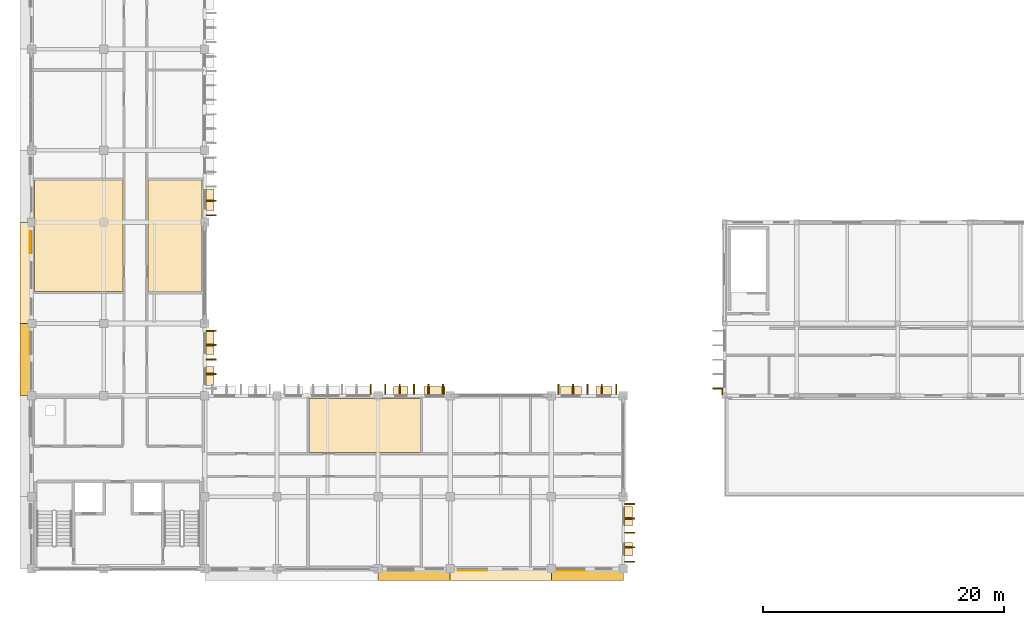
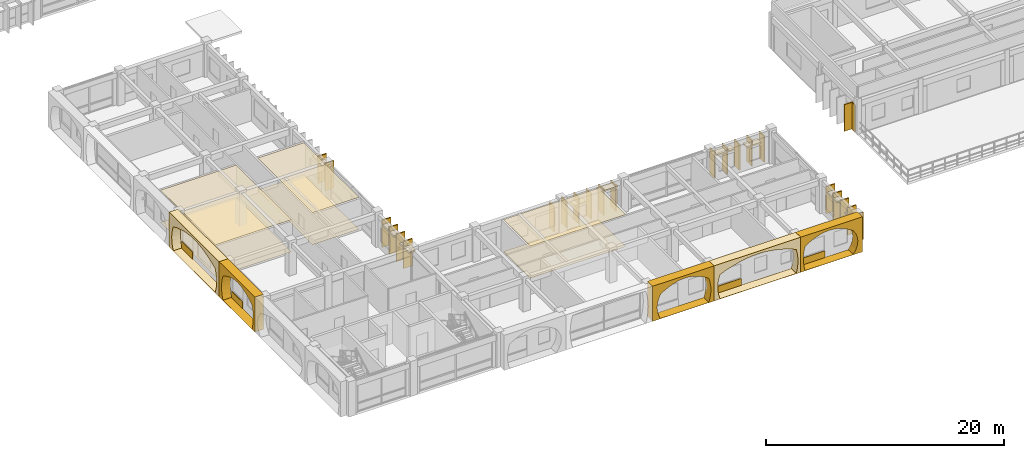
# One storey, part 70 of 88: 47 coverings, 1 shading device.
"""IFC4 building model written with IfcOpenShell, lengths in metres."""

from ifc_helpers import new_model, si_unit, direction, frame, origin, origin_2d, place, context, subcontext, project, spatial, polyline, rectangle, outline, extrude, material, layer, layer_set, type_object, element, save


model = new_model("IFC4")

# Units and contexts
model_context = context("Model", 3, precision=1e-05, world=origin(), true_north=direction((0.0, 1.0)))
body_context = subcontext(model_context, "Body", "Model", "MODEL_VIEW")
ifc_project = project(units=[si_unit("LENGTHUNIT", "METRE"), si_unit("AREAUNIT", "SQUARE_METRE"), si_unit("VOLUMEUNIT", "CUBIC_METRE"), si_unit("PLANEANGLEUNIT", "RADIAN"), si_unit("MASSUNIT", "GRAM", prefix="KILO"), si_unit("THERMODYNAMICTEMPERATUREUNIT", "KELVIN")], contexts=[model_context])

# Site, building, storey
site_placement = place(None, origin())
site = spatial("IfcSite", under=ifc_project, at=site_placement, CompositionType="ELEMENT")
building_placement = place(site_placement, origin())
building = spatial("IfcBuilding", under=site, at=building_placement, Name="Thalorik Housing Commons", CompositionType="ELEMENT")
storey_placement = place(building_placement, frame((0.0, 0.0, 4.5)))
storey = spatial("IfcBuildingStorey", under=building, at=storey_placement, Name="L01", CompositionType="ELEMENT", Elevation=4.5)

# Coverings
ifc_material_1 = material(Name="Cobalt blue glazed ceramic facade tile panel", Category="masonry")
ifc_layer_1 = layer(ifc_material_1, 0.06005859375, Name="Cobalt blue glazed ceramic facade tile panel", Category="masonry")
ifc_layer_set_1 = layer_set([ifc_layer_1], Name="Cobalt blue glazed ceramic facade tile panel")
covering_type_1 = type_object("IfcCoveringType", Name="ARC-CLD-BLU-60", PredefinedType="CLADDING", material=ifc_layer_set_1)
covering_1_placement = place(storey_placement, frame((8.262451171875, 35.5673828125, 0.0498046875), z_axis=(0.0, 0.0, 1.0), x_axis=(0.0, -1.0, 0.0)))
element("IfcCovering", 1, at=covering_1_placement, inside=storey, type_object=covering_type_1, Name="L01 De Stijl Recessed Window Spandrel 3477", PredefinedType="CLADDING", context=body_context, shape_type="SweptSolid", body=[
    extrude(rectangle(XDim=1.820068359375, YDim=0.06005859375, at=origin_2d()), origin(), (0.0, 0.0, 1.0), 0.699951171875),
])
covering_2_placement = place(storey_placement, frame((45.044921875, 8.262451171875, 0.0498046875), z_axis=(0.0, 0.0, 1.0), x_axis=(1.0, 0.0, 0.0)))
element("IfcCovering", 2, at=covering_2_placement, inside=storey, type_object=covering_type_1, Name="L01 De Stijl Recessed Window Spandrel 3490", PredefinedType="CLADDING", context=body_context, shape_type="SweptSolid", body=[
    extrude(rectangle(XDim=2.47998046875, YDim=0.06005859375, at=origin_2d()), origin(), (0.0, 0.0, 1.0), 0.699951171875),
])
ifc_material_2 = material(Name="Precast concrete C40/50", Category="concrete")
ifc_layer_2 = layer(ifc_material_2, 0.85009765625, Name="Precast concrete C40/50", Category="concrete")
ifc_layer_set_2 = layer_set([ifc_layer_2], Name="Precast concrete C40/50")
covering_type_2 = type_object("IfcCoveringType", Name="ARC-CLD-CUSH-850", PredefinedType="CLADDING", material=ifc_layer_set_2)
covering_3_placement = place(storey_placement, frame((7.87255859375, 33.0, 0.0), z_axis=(0.0, 0.0, 1.0), x_axis=(0.0, -1.0, 0.0)))
element("IfcCovering", 3, at=covering_3_placement, inside=storey, type_object=covering_type_2, Name="L01 White Precast Curved Cushion Bay Frame 3476", PredefinedType="CLADDING", context=body_context, shape_type="SweptSolid", body=[
    extrude(outline(polyline([(-4.199951171875, 0.0), (4.199951171875, 0.0), (4.199951171875, 3.60009765625), (-4.199951171875, 3.60009765625), (-4.199951171875, 0.0)]), holes=[polyline([(3.52490234375, 0.02490234375), (3.66748046875, 0.4375), (3.7529296875, 0.85009765625), (3.781494140625, 1.262451171875), (3.7529296875, 1.675048828125), (3.66748046875, 2.08740234375), (3.52490234375, 2.5), (2.937255859375, 2.755615234375), (2.349609375, 2.956298828125), (1.761962890625, 3.119140625), (1.17431640625, 3.239990234375), (0.58642578125, 3.314697265625), (-0.001220703125, 3.340087890625), (-0.589111328125, 3.314697265625), (-1.1767578125, 3.239990234375), (-1.764404296875, 3.119140625), (-2.35205078125, 2.956298828125), (-2.939697265625, 2.755615234375), (-3.527587890625, 2.5), (-3.66943359375, 2.08740234375), (-3.754638671875, 1.675048828125), (-3.783203125, 1.262451171875), (-3.754638671875, 0.85009765625), (-3.66943359375, 0.4375), (-3.527587890625, 0.02490234375), (3.52490234375, 0.02490234375)])]), frame((0.0, 0.425048828125, 0.0), z_axis=(0.0, -1.0, 0.0), x_axis=(1.0, 0.0, 0.0)), (0.0, 0.0, 1.0), 0.85009765625),
])
covering_4_placement = place(storey_placement, frame((7.87255859375, 25.800048828125, 0.0), z_axis=(0.0, 0.0, 1.0), x_axis=(0.0, -1.0, 0.0)))
element("IfcCovering", 4, at=covering_4_placement, inside=storey, type_object=covering_type_2, Name="L01 White Precast Curved Cushion Bay Frame 3478", PredefinedType="CLADDING", context=body_context, shape_type="SweptSolid", body=[
    extrude(outline(polyline([(-3.0, 0.0), (3.0, 0.0), (3.0, 3.60009765625), (-3.0, 3.60009765625), (-3.0, 0.0)]), holes=[polyline([(2.5400390625, 0.02490234375), (2.63720703125, 0.4375), (2.6953125, 0.85009765625), (2.71484375, 1.262451171875), (2.6953125, 1.675048828125), (2.63720703125, 2.08740234375), (2.5400390625, 2.5), (2.131591796875, 2.755615234375), (1.723388671875, 2.956298828125), (1.31494140625, 3.119140625), (0.90673828125, 3.239990234375), (0.498291015625, 3.314697265625), (0.090087890625, 3.340087890625), (-0.318359375, 3.314697265625), (-0.726806640625, 3.239990234375), (-1.135009765625, 3.119140625), (-1.543212890625, 2.956298828125), (-1.95166015625, 2.755615234375), (-2.360107421875, 2.5), (-2.4951171875, 2.08740234375), (-2.576171875, 1.675048828125), (-2.603271484375, 1.262451171875), (-2.576171875, 0.85009765625), (-2.4951171875, 0.4375), (-2.360107421875, 0.02490234375), (2.5400390625, 0.02490234375)])]), frame((0.0, 0.425048828125, 0.0), z_axis=(0.0, -1.0, 0.0), x_axis=(1.0, 0.0, 0.0)), (0.0, 0.0, 1.0), 0.85009765625),
])
covering_5_placement = place(storey_placement, frame((40.199951171875, 7.87255859375, 0.0), z_axis=(0.0, 0.0, 1.0), x_axis=(1.0, 0.0, 0.0)))
element("IfcCovering", 5, at=covering_5_placement, inside=storey, type_object=covering_type_2, Name="L01 White Precast Curved Cushion Bay Frame 3487", PredefinedType="CLADDING", context=body_context, shape_type="SweptSolid", body=[
    extrude(outline(polyline([(-3.0, 0.0), (3.0, 0.0), (3.0, 3.60009765625), (-3.0, 3.60009765625), (-3.0, 0.0)]), holes=[polyline([(2.47998046875, 0.02490234375), (2.58984375, 0.4375), (2.655517578125, 0.85009765625), (2.677490234375, 1.262451171875), (2.655517578125, 1.675048828125), (2.58984375, 2.08740234375), (2.47998046875, 2.5), (2.08740234375, 2.755615234375), (1.695068359375, 2.956298828125), (1.302490234375, 3.119140625), (0.909912109375, 3.239990234375), (0.517578125, 3.314697265625), (0.125, 3.340087890625), (-0.267578125, 3.314697265625), (-0.659912109375, 3.239990234375), (-1.052490234375, 3.119140625), (-1.445068359375, 2.956298828125), (-1.83740234375, 2.755615234375), (-2.22998046875, 2.5), (-2.40771484375, 2.08740234375), (-2.514404296875, 1.675048828125), (-2.550048828125, 1.262451171875), (-2.514404296875, 0.85009765625), (-2.40771484375, 0.4375), (-2.22998046875, 0.02490234375), (2.47998046875, 0.02490234375)])]), frame((0.0, 0.425048828125, 0.0), z_axis=(0.0, -1.0, 0.0), x_axis=(1.0, 0.0, 0.0)), (0.0, 0.0, 1.0), 0.85009765625),
])
covering_6_placement = place(storey_placement, frame((47.39990234375, 7.87255859375, 0.0), z_axis=(0.0, 0.0, 1.0), x_axis=(1.0, 0.0, 0.0)))
element("IfcCovering", 6, at=covering_6_placement, inside=storey, type_object=covering_type_2, Name="L01 White Precast Curved Cushion Bay Frame 3489", PredefinedType="CLADDING", context=body_context, shape_type="SweptSolid", body=[
    extrude(outline(polyline([(-4.199951171875, 0.0), (4.199951171875, 0.0), (4.199951171875, 3.60009765625), (-4.199951171875, 3.60009765625), (-4.199951171875, 0.0)]), holes=[polyline([(3.764892578125, 0.02490234375), (3.856689453125, 0.4375), (3.911865234375, 0.85009765625), (3.930419921875, 1.262451171875), (3.911865234375, 1.675048828125), (3.856689453125, 2.08740234375), (3.764892578125, 2.5), (3.1474609375, 2.755615234375), (2.530029296875, 2.956298828125), (1.91259765625, 3.119140625), (1.294921875, 3.239990234375), (0.677490234375, 3.314697265625), (0.06005859375, 3.340087890625), (-0.5576171875, 3.314697265625), (-1.175048828125, 3.239990234375), (-1.79248046875, 3.119140625), (-2.409912109375, 2.956298828125), (-3.027587890625, 2.755615234375), (-3.64501953125, 2.5), (-3.76220703125, 2.08740234375), (-3.83251953125, 1.675048828125), (-3.85595703125, 1.262451171875), (-3.83251953125, 0.85009765625), (-3.76220703125, 0.4375), (-3.64501953125, 0.02490234375), (3.764892578125, 0.02490234375)])]), frame((0.0, 0.425048828125, 0.0), z_axis=(0.0, -1.0, 0.0), x_axis=(1.0, 0.0, 0.0)), (0.0, 0.0, 1.0), 0.85009765625),
])
covering_7_placement = place(storey_placement, frame((54.60009765625, 7.87255859375, 0.0), z_axis=(0.0, 0.0, 1.0), x_axis=(1.0, 0.0, 0.0)))
element("IfcCovering", 7, at=covering_7_placement, inside=storey, type_object=covering_type_2, Name="L01 White Precast Curved Cushion Bay Frame 3491", PredefinedType="CLADDING", context=body_context, shape_type="SweptSolid", body=[
    extrude(outline(polyline([(-3.0, 0.0), (3.0, 0.0), (3.0, 3.60009765625), (-3.0, 3.60009765625), (-3.0, 0.0)]), holes=[polyline([(2.094970703125, 0.02490234375), (2.347900390625, 0.4375), (2.49951171875, 0.85009765625), (2.550048828125, 1.262451171875), (2.49951171875, 1.675048828125), (2.347900390625, 2.08740234375), (2.094970703125, 2.5), (1.705322265625, 2.755615234375), (1.31591796875, 2.956298828125), (0.92626953125, 3.119140625), (0.53662109375, 3.239990234375), (0.147216796875, 3.314697265625), (-0.242431640625, 3.340087890625), (-0.632080078125, 3.314697265625), (-1.021728515625, 3.239990234375), (-1.4111328125, 3.119140625), (-1.80078125, 2.956298828125), (-2.1904296875, 2.755615234375), (-2.580078125, 2.5), (-2.668701171875, 2.08740234375), (-2.721923828125, 1.675048828125), (-2.739501953125, 1.262451171875), (-2.721923828125, 0.85009765625), (-2.668701171875, 0.4375), (-2.580078125, 0.02490234375), (2.094970703125, 0.02490234375)])]), frame((0.0, 0.425048828125, 0.0), z_axis=(0.0, -1.0, 0.0), x_axis=(1.0, 0.0, 0.0)), (0.0, 0.0, 1.0), 0.85009765625),
])
ifc_layer_3 = layer(ifc_material_2, 0.85009765625, Name="Precast concrete C40/50", Category="concrete")
ifc_layer_set_3 = layer_set([ifc_layer_3], Name="Precast concrete C40/50")
covering_type_3 = type_object("IfcCoveringType", Name="ARC-CLD-FIN-850", PredefinedType="CLADDING", material=ifc_layer_set_3)
for number, where, z_axis, x_axis, name in (
    (8, (23.327392578125, 24.60009765625, 0.0400390625), (0.0, 0.0, 1.0), (0.0, 1.0, 0.0), "L01 Courtyard Precast Vertical Brise-Soleil Fin 3431"),
    (9, (23.327392578125, 25.800048828125, 0.0400390625), (0.0, 0.0, 1.0), (0.0, 1.0, 0.0), "L01 Courtyard Precast Vertical Brise-Soleil Fin 3432"),
    (10, (23.327392578125, 27.0, 0.0400390625), (0.0, 0.0, 1.0), (0.0, 1.0, 0.0), "L01 Courtyard Precast Vertical Brise-Soleil Fin 3433"),
    (11, (23.327392578125, 28.199951171875, 0.0400390625), (0.0, 0.0, 1.0), (0.0, 1.0, 0.0), "L01 Courtyard Precast Vertical Brise-Soleil Fin 3434"),
    (12, (23.327392578125, 37.800048828125, 0.0400390625), (0.0, 0.0, 1.0), (0.0, 1.0, 0.0), "L01 Courtyard Precast Vertical Brise-Soleil Fin 3437"),
    (13, (23.327392578125, 39.0, 0.0400390625), (0.0, 0.0, 1.0), (0.0, 1.0, 0.0), "L01 Courtyard Precast Vertical Brise-Soleil Fin 3438"),
    (14, (58.12744140625, 9.0, 0.0400390625), (0.0, 0.0, 1.0), (0.0, 1.0, 0.0), "L01 Courtyard Precast Vertical Brise-Soleil Fin 3493"),
    (15, (58.12744140625, 10.199951171875, 0.0400390625), (0.0, 0.0, 1.0), (0.0, 1.0, 0.0), "L01 Courtyard Precast Vertical Brise-Soleil Fin 3494"),
    (16, (58.12744140625, 11.39990234375, 0.0400390625), (0.0, 0.0, 1.0), (0.0, 1.0, 0.0), "L01 Courtyard Precast Vertical Brise-Soleil Fin 3495"),
    (17, (58.12744140625, 12.60009765625, 0.0400390625), (0.0, 0.0, 1.0), (0.0, 1.0, 0.0), "L01 Courtyard Precast Vertical Brise-Soleil Fin 3496"),
    (18, (58.12744140625, 13.800048828125, 0.0400390625), (0.0, 0.0, 1.0), (0.0, 1.0, 0.0), "L01 Courtyard Precast Vertical Brise-Soleil Fin 3497"),
):
    element("IfcCovering", number, at=place(storey_placement, frame(where, z_axis=z_axis, x_axis=x_axis)), inside=storey, type_object=covering_type_3, Name=name, PredefinedType="CLADDING", context=body_context, shape_type="SweptSolid", body=[
        extrude(rectangle(XDim=0.110107421875, YDim=0.85009765625, at=origin_2d()), origin(), (0.0, 0.0, 1.0), 2.794921875),
    ])
for number, where, z_axis, x_axis, name in (
    (19, (57.0, 23.327392578125, 0.0400390625), (0.0, 0.0, 1.0), (-1.0, 0.0, 0.0), "L01 Courtyard Precast Vertical Brise-Soleil Fin 3500"),
    (20, (55.800048828125, 23.327392578125, 0.0400390625), (0.0, 0.0, 1.0), (-1.0, 0.0, 0.0), "L01 Courtyard Precast Vertical Brise-Soleil Fin 3501"),
    (21, (54.60009765625, 23.327392578125, 0.0400390625), (0.0, 0.0, 1.0), (-1.0, 0.0, 0.0), "L01 Courtyard Precast Vertical Brise-Soleil Fin 3502"),
    (22, (53.39990234375, 23.327392578125, 0.0400390625), (0.0, 0.0, 1.0), (-1.0, 0.0, 0.0), "L01 Courtyard Precast Vertical Brise-Soleil Fin 3503"),
    (23, (52.199951171875, 23.327392578125, 0.0400390625), (0.0, 0.0, 1.0), (-1.0, 0.0, 0.0), "L01 Courtyard Precast Vertical Brise-Soleil Fin 3504"),
    (24, (42.60009765625, 23.327392578125, 0.0400390625), (0.0, 0.0, 1.0), (-1.0, 0.0, 0.0), "L01 Courtyard Precast Vertical Brise-Soleil Fin 3507"),
    (25, (41.39990234375, 23.327392578125, 0.0400390625), (0.0, 0.0, 1.0), (-1.0, 0.0, 0.0), "L01 Courtyard Precast Vertical Brise-Soleil Fin 3508"),
    (26, (40.199951171875, 23.327392578125, 0.0400390625), (0.0, 0.0, 1.0), (-1.0, 0.0, 0.0), "L01 Courtyard Precast Vertical Brise-Soleil Fin 3509"),
    (27, (39.0, 23.327392578125, 0.0400390625), (0.0, 0.0, 1.0), (-1.0, 0.0, 0.0), "L01 Courtyard Precast Vertical Brise-Soleil Fin 3510"),
    (28, (37.800048828125, 23.327392578125, 0.0400390625), (0.0, 0.0, 1.0), (-1.0, 0.0, 0.0), "L01 Courtyard Precast Vertical Brise-Soleil Fin 3511"),
):
    element("IfcCovering", number, at=place(storey_placement, frame(where, z_axis=z_axis, x_axis=x_axis)), inside=storey, type_object=covering_type_3, Name=name, PredefinedType="CLADDING", context=body_context, shape_type="SweptSolid", body=[
        extrude(rectangle(XDim=0.110107421875, YDim=0.85009765625, at=origin_2d()), origin(), (0.0, 0.0, 1.0), 2.695068359375),
    ])
covering_8_placement = place(storey_placement, frame((36.60009765625, 23.327392578125, 0.0400390625), z_axis=(0.0, 0.0, 1.0), x_axis=(-1.0, 0.0, 0.0)))
element("IfcCovering", 29, at=covering_8_placement, inside=storey, type_object=covering_type_3, Name="L01 Courtyard Precast Vertical Brise-Soleil Fin 3514", PredefinedType="CLADDING", context=body_context, shape_type="SweptSolid", body=[
    extrude(rectangle(XDim=0.110107421875, YDim=0.85009765625, at=origin_2d()), origin(), (0.0, 0.0, 1.0), 2.594970703125),
])
ifc_layer_4 = layer(ifc_material_2, 0.64990234375, Name="Precast concrete C40/50", Category="concrete")
ifc_layer_set_4 = layer_set([ifc_layer_4], Name="Precast concrete C40/50")
covering_type_4 = type_object("IfcCoveringType", Name="ARC-CLD-HOOD-650", PredefinedType="CLADDING", material=ifc_layer_set_4)
covering_9_placement = place(storey_placement, frame((23.2275390625, 24.429931640625, 2.14013671875), z_axis=(0.0, 0.0, 1.0), x_axis=(0.0, 1.0, 0.0)))
element("IfcCovering", 30, at=covering_9_placement, inside=storey, type_object=covering_type_4, Name="L01 Courtyard Precast Window Sun-Hood 3435", PredefinedType="CLADDING", context=body_context, shape_type="SweptSolid", body=[
    extrude(rectangle(XDim=1.56005859375, YDim=0.64990234375, at=origin_2d()), origin(), (0.0, 0.0, 1.0), 0.139892578125),
])
covering_10_placement = place(storey_placement, frame((23.2275390625, 27.169921875, 2.25), z_axis=(0.0, 0.0, 1.0), x_axis=(0.0, 1.0, 0.0)))
element("IfcCovering", 31, at=covering_10_placement, inside=storey, type_object=covering_type_4, Name="L01 Courtyard Precast Window Sun-Hood 3436", PredefinedType="CLADDING", context=body_context, shape_type="SweptSolid", body=[
    extrude(rectangle(XDim=1.919921875, YDim=0.64990234375, at=origin_2d()), origin(), (0.0, 0.0, 1.0), 0.139892578125),
])
covering_11_placement = place(storey_placement, frame((23.2275390625, 39.094970703125, 2.18994140625), z_axis=(0.0, 0.0, 1.0), x_axis=(0.0, 1.0, 0.0)))
element("IfcCovering", 32, at=covering_11_placement, inside=storey, type_object=covering_type_4, Name="L01 Courtyard Precast Window Sun-Hood 3442", PredefinedType="CLADDING", context=body_context, shape_type="SweptSolid", body=[
    extrude(rectangle(XDim=1.7900390625, YDim=0.64990234375, at=origin_2d()), origin(), (0.0, 0.0, 1.0), 0.139892578125),
])
covering_12_placement = place(storey_placement, frame((58.027587890625, 10.030029296875, 1.990234375), z_axis=(0.0, 0.0, 1.0), x_axis=(0.0, 1.0, 0.0)))
element("IfcCovering", 33, at=covering_12_placement, inside=storey, type_object=covering_type_4, Name="L01 Courtyard Precast Window Sun-Hood 3498", PredefinedType="CLADDING", context=body_context, shape_type="SweptSolid", body=[
    extrude(rectangle(XDim=1.139892578125, YDim=0.64990234375, at=origin_2d()), origin(), (0.0, 0.0, 1.0), 0.139892578125),
])
covering_13_placement = place(storey_placement, frame((58.027587890625, 12.77001953125, 2.240234375), z_axis=(0.0, 0.0, 1.0), x_axis=(0.0, 1.0, 0.0)))
element("IfcCovering", 34, at=covering_13_placement, inside=storey, type_object=covering_type_4, Name="L01 Courtyard Precast Window Sun-Hood 3499", PredefinedType="CLADDING", context=body_context, shape_type="SweptSolid", body=[
    extrude(rectangle(XDim=1.639892578125, YDim=0.64990234375, at=origin_2d()), origin(), (0.0, 0.0, 1.0), 0.139892578125),
])
covering_14_placement = place(storey_placement, frame((55.969970703125, 23.2275390625, 2.08984375), z_axis=(0.0, 0.0, 1.0), x_axis=(-1.0, 0.0, 0.0)))
element("IfcCovering", 35, at=covering_14_placement, inside=storey, type_object=covering_type_4, Name="L01 Courtyard Precast Window Sun-Hood 3505", PredefinedType="CLADDING", context=body_context, shape_type="SweptSolid", body=[
    extrude(rectangle(XDim=1.340087890625, YDim=0.64990234375, at=origin_2d()), origin(), (0.0, 0.0, 1.0), 0.139892578125),
])
for number, where, z_axis, x_axis, name in (
    (36, (53.22998046875, 23.2275390625, 2.2900390625), (0.0, 0.0, 1.0), (-1.0, 0.0, 0.0), "L01 Courtyard Precast Window Sun-Hood 3506"),
    (37, (41.905029296875, 23.2275390625, 2.43994140625), (0.0, 0.0, 1.0), (-1.0, 0.0, 0.0), "L01 Courtyard Precast Window Sun-Hood 3512"),
):
    element("IfcCovering", number, at=place(storey_placement, frame(where, z_axis=z_axis, x_axis=x_axis)), inside=storey, type_object=covering_type_4, Name=name, PredefinedType="CLADDING", context=body_context, shape_type="SweptSolid", body=[
        extrude(rectangle(XDim=1.739990234375, YDim=0.64990234375, at=origin_2d()), origin(), (0.0, 0.0, 1.0), 0.139892578125),
    ])
covering_15_placement = place(storey_placement, frame((39.094970703125, 23.2275390625, 1.93994140625), z_axis=(0.0, 0.0, 1.0), x_axis=(-1.0, 0.0, 0.0)))
element("IfcCovering", 38, at=covering_15_placement, inside=storey, type_object=covering_type_4, Name="L01 Courtyard Precast Window Sun-Hood 3513", PredefinedType="CLADDING", context=body_context, shape_type="SweptSolid", body=[
    extrude(rectangle(XDim=1.18994140625, YDim=0.64990234375, at=origin_2d()), origin(), (0.0, 0.0, 1.0), 0.139892578125),
])
ifc_layer_5 = layer(ifc_material_2, 0.090087890625, Name="Precast concrete C40/50", Category="concrete")
ifc_layer_set_5 = layer_set([ifc_layer_5], Name="Precast concrete C40/50")
covering_type_5 = type_object("IfcCoveringType", Name="ARC-CLD-PIER-90", PredefinedType="CLADDING", material=ifc_layer_set_5)
covering_16_placement = place(storey_placement, frame((65.825439453125, 23.14990234375, 0.050048828125), z_axis=(0.0, 0.0, 1.0), x_axis=(0.0, -1.0, 0.0)))
element("IfcCovering", 39, at=covering_16_placement, inside=storey, type_object=covering_type_5, Name="L01 Architectural Facade Cladding 5316", PredefinedType="CLADDING", context=body_context, shape_type="SweptSolid", body=[
    extrude(rectangle(XDim=0.550048828125, YDim=0.090087890625, at=origin_2d()), origin(), (0.0, 0.0, 1.0), 2.77490234375),
])
ifc_material_3 = material(Name="Mineral ochre architectural terracotta panel", Category="masonry")
ifc_layer_6 = layer(ifc_material_3, 0.06494140625, Name="Mineral ochre architectural terracotta panel", Category="masonry")
ifc_layer_set_6 = layer_set([ifc_layer_6], Name="Mineral ochre architectural terracotta panel")
covering_type_6 = type_object("IfcCoveringType", Name="ARC-CLD-YEL-65", PredefinedType="CLADDING", material=ifc_layer_set_6)
covering_17_placement = place(storey_placement, frame((8.260009765625, 27.169921875, 0.0498046875), z_axis=(0.0, 0.0, 1.0), x_axis=(0.0, -1.0, 0.0)))
element("IfcCovering", 40, at=covering_17_placement, inside=storey, type_object=covering_type_6, Name="L01 De Stijl Recessed Window Spandrel 3479", PredefinedType="CLADDING", context=body_context, shape_type="SweptSolid", body=[
    extrude(rectangle(XDim=1.8798828125, YDim=0.06494140625, at=origin_2d()), origin(), (0.0, 0.0, 1.0), 0.699951171875),
])
covering_18_placement = place(storey_placement, frame((53.22998046875, 8.260009765625, 0.0498046875), z_axis=(0.0, 0.0, 1.0), x_axis=(1.0, 0.0, 0.0)))
element("IfcCovering", 41, at=covering_18_placement, inside=storey, type_object=covering_type_6, Name="L01 De Stijl Recessed Window Spandrel 3492", PredefinedType="CLADDING", context=body_context, shape_type="SweptSolid", body=[
    extrude(rectangle(XDim=2.320068359375, YDim=0.06494140625, at=origin_2d()), origin(), (0.0, 0.0, 1.0), 0.699951171875),
])
ifc_material_4 = material(Name="Perforated acoustic gypsum ceiling board")
ifc_layer_7 = layer(ifc_material_4, 0.014892578125, Name="Perforated acoustic gypsum ceiling board")
ifc_layer_set_7 = layer_set([ifc_layer_7], Name="Perforated acoustic gypsum ceiling board")
covering_type_7 = type_object("IfcCoveringType", Name="ARC-COV-CEIL-01", PredefinedType="CEILING", material=ifc_layer_set_7)
covering_19_placement = place(storey_placement, frame((0.0, 0.0, 3.284912109375)))
element("IfcCovering", 42, at=covering_19_placement, inside=storey, type_object=covering_type_7, Name="L01 Shared Sewing Workshop Suspended Ceiling", PredefinedType="CEILING", context=body_context, shape_type="SweptSolid", body=[
    extrude(outline(polyline([(16.0, 40.719970703125), (8.639892578125, 40.719970703125), (8.639892578125, 31.4599609375), (16.0, 31.4599609375), (16.0, 40.719970703125)])), origin(), (0.0, 0.0, 1.0), 0.01513671875),
])
ifc_material_5 = material(Name="Mineral fibre acoustic ceiling tile")
ifc_layer_8 = layer(ifc_material_5, 0.01806640625, Name="Mineral fibre acoustic ceiling tile")
ifc_layer_set_8 = layer_set([ifc_layer_8], Name="Mineral fibre acoustic ceiling tile")
covering_type_8 = type_object("IfcCoveringType", Name="ARC-COV-CEIL-02", PredefinedType="CEILING", material=ifc_layer_set_8)
covering_20_placement = place(storey_placement, frame((0.0, 0.0, 3.281982421875)))
element("IfcCovering", 43, at=covering_20_placement, inside=storey, type_object=covering_type_8, Name="L01 Ceramics and Print Workshop Suspended Ceiling", PredefinedType="CEILING", context=body_context, shape_type="SweptSolid", body=[
    extrude(outline(polyline([(22.56005859375, 40.719970703125), (18.06005859375, 40.719970703125), (18.06005859375, 31.4599609375), (22.56005859375, 31.4599609375), (22.56005859375, 40.719970703125)])), origin(), (0.0, 0.0, 1.0), 0.01806640625),
])
ifc_material_6 = material(Name="Moisture-resistant gypsum bathroom ceiling")
ifc_layer_9 = layer(ifc_material_6, 0.02490234375, Name="Moisture-resistant gypsum bathroom ceiling")
ifc_layer_set_9 = layer_set([ifc_layer_9], Name="Moisture-resistant gypsum bathroom ceiling")
covering_type_9 = type_object("IfcCoveringType", Name="ARC-COV-CEIL-04", PredefinedType="CEILING", material=ifc_layer_set_9)
covering_21_placement = place(storey_placement, frame((0.0, 0.0, 3.27490234375)))
element("IfcCovering", 44, at=covering_21_placement, inside=storey, type_object=covering_type_9, Name="L01 Ceramics and Print Workshop Suspended Ceiling", PredefinedType="CEILING", context=body_context, shape_type="SweptSolid", body=[
    extrude(outline(polyline([(40.719970703125, 18.06005859375), (40.719970703125, 22.56005859375), (31.4599609375, 22.56005859375), (31.4599609375, 18.06005859375), (40.719970703125, 18.06005859375)])), origin(), (0.0, 0.0, 1.0), 0.025146484375),
])
ifc_material_7 = material(Name="Glazed Recife ceramic apartment floor tile")
ifc_layer_10 = layer(ifc_material_7, 0.011962890625, Name="Glazed Recife ceramic apartment floor tile")
ifc_layer_set_10 = layer_set([ifc_layer_10], Name="Glazed Recife ceramic apartment floor tile")
covering_type_10 = type_object("IfcCoveringType", Name="ARC-COV-FLR-01", PredefinedType="FLOORING", material=ifc_layer_set_10)
covering_22_placement = place(storey_placement, origin())
element("IfcCovering", 45, at=covering_22_placement, inside=storey, type_object=covering_type_10, Name="L01 Shared Sewing Workshop Flooring", PredefinedType="FLOORING", context=body_context, shape_type="SweptSolid", body=[
    extrude(outline(polyline([(16.0, 40.719970703125), (8.639892578125, 40.719970703125), (8.639892578125, 31.4599609375), (16.0, 31.4599609375), (16.0, 40.719970703125)])), origin(), (0.0, 0.0, 1.0), 0.011962890625),
])
ifc_material_8 = material(Name="Slip-resistant quarry terracotta corridor tile", Category="masonry")
ifc_layer_11 = layer(ifc_material_8, 0.01611328125, Name="Slip-resistant quarry terracotta corridor tile", Category="masonry")
ifc_layer_set_11 = layer_set([ifc_layer_11], Name="Slip-resistant quarry terracotta corridor tile")
covering_type_11 = type_object("IfcCoveringType", Name="ARC-COV-FLR-02", PredefinedType="FLOORING", material=ifc_layer_set_11)
covering_23_placement = place(storey_placement, origin())
element("IfcCovering", 46, at=covering_23_placement, inside=storey, type_object=covering_type_11, Name="L01 Ceramics and Print Workshop Flooring", PredefinedType="FLOORING", context=body_context, shape_type="SweptSolid", body=[
    extrude(outline(polyline([(22.56005859375, 40.719970703125), (18.06005859375, 40.719970703125), (18.06005859375, 31.4599609375), (22.56005859375, 31.4599609375), (22.56005859375, 40.719970703125)])), origin(), (0.0, 0.0, 1.0), 0.01611328125),
])
ifc_material_9 = material(Name="Sprung Brazilian oak assembly hall timber floor", Category="wood")
ifc_layer_12 = layer(ifc_material_9, 0.02392578125, Name="Sprung Brazilian oak assembly hall timber floor", Category="wood")
ifc_layer_set_12 = layer_set([ifc_layer_12], Name="Sprung Brazilian oak assembly hall timber floor")
covering_type_12 = type_object("IfcCoveringType", Name="ARC-COV-FLR-04", PredefinedType="FLOORING", material=ifc_layer_set_12)
covering_24_placement = place(storey_placement, origin())
element("IfcCovering", 47, at=covering_24_placement, inside=storey, type_object=covering_type_12, Name="L01 Ceramics and Print Workshop Flooring", PredefinedType="FLOORING", context=body_context, shape_type="SweptSolid", body=[
    extrude(outline(polyline([(40.719970703125, 18.06005859375), (40.719970703125, 22.56005859375), (31.4599609375, 22.56005859375), (31.4599609375, 18.06005859375), (40.719970703125, 18.06005859375)])), origin(), (0.0, 0.0, 1.0), 0.02392578125),
])

# Shading device
shading_device_type = type_object("IfcShadingDeviceType", Name="ARC-FIN-PC-850A", PredefinedType="USERDEFINED", material=ifc_material_2)
shading_device_placement = place(storey_placement, frame((65.447509765625, 23.39990234375, 0.119873046875), z_axis=(0.0, 0.0, 1.0), x_axis=(0.0, -1.0, 0.0)))
element("IfcShadingDevice", 48, at=shading_device_placement, inside=storey, type_object=shading_device_type, Name="L01 Vertical Precast Solar Fin 198", ObjectType="FIN", PredefinedType="USERDEFINED", context=body_context, shape_type="SweptSolid", body=[
    extrude(rectangle(XDim=0.090087890625, YDim=0.85009765625, at=origin_2d()), origin(), (0.0, 0.0, 1.0), 2.72509765625),
])

save(model, "model.ifc")
